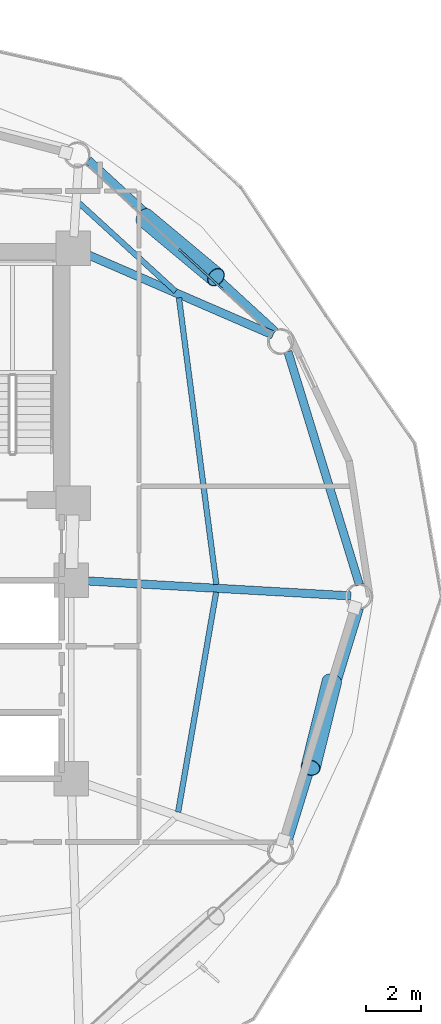
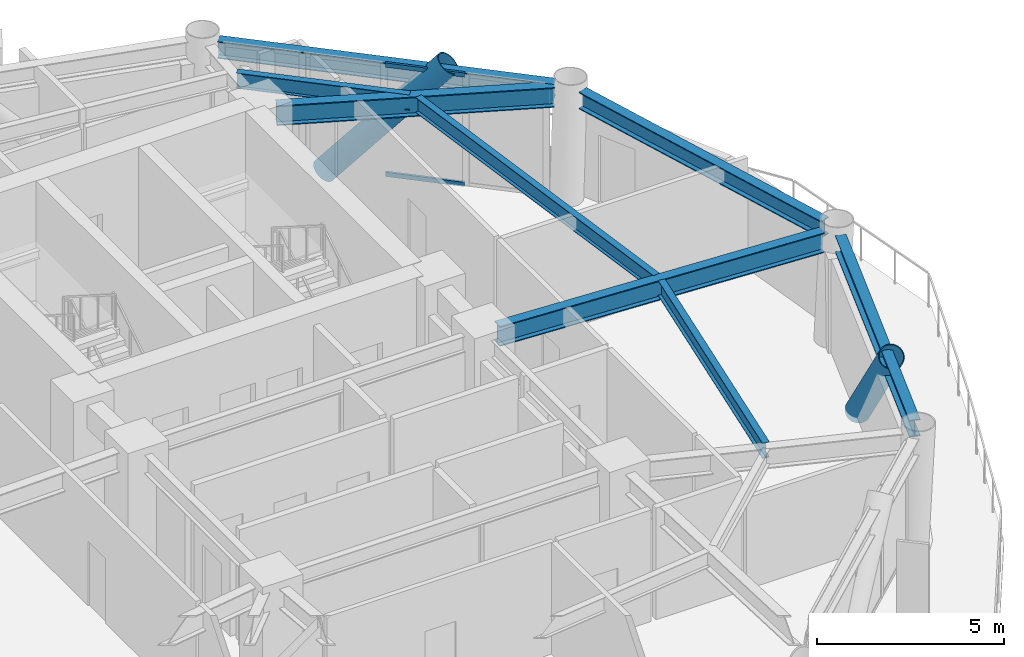
# One storey, part 14 of 23: 8 beams, 4 members, 1 element without a shape of its own.
"""IFC4 building model written with IfcOpenShell, lengths in metres."""

from ifc_helpers import new_model, si_unit, direction, frame, origin, origin_2d, place, context, subcontext, project, spatial, hollow_rectangle, hollow_circle, i_section, extrude, material, layer, layer_set, material_profile, profile_set, type_object, element, aggregate, save


model = new_model("IFC4")

# Units and contexts
model_context = context("Model", 3, precision=1e-05, world=origin(), true_north=direction((0.0, 1.0)))
body_context = subcontext(model_context, "Body", "Model", "MODEL_VIEW")
ifc_project = project(units=[si_unit("LENGTHUNIT", "METRE"), si_unit("AREAUNIT", "SQUARE_METRE"), si_unit("VOLUMEUNIT", "CUBIC_METRE"), si_unit("PLANEANGLEUNIT", "RADIAN"), si_unit("MASSUNIT", "GRAM", prefix="KILO")], contexts=[model_context])

# Site, building, storey
site_placement = place(None, origin())
site = spatial("IfcSite", under=ifc_project, at=site_placement, CompositionType="ELEMENT")
building_placement = place(site_placement, origin())
building = spatial("IfcBuilding", under=site, at=building_placement, Name="Varnakorn Sky Granary", CompositionType="ELEMENT")
storey_placement = place(building_placement, frame((0.0, 0.0, 31.5)))
storey = spatial("IfcBuildingStorey", under=building, at=storey_placement, Name="L07", CompositionType="ELEMENT", Elevation=31.5)

# Beams
ifc_material_1 = material(Name="Steel S355JR", Category="steel")
ifc_material_profile_1 = material_profile(ifc_material_1, i_section(OverallWidth=0.300048828125, OverallDepth=0.64990234375, WebThickness=0.01611328125, FlangeThickness=0.031005859375, at=origin_2d()), Name="HE 650 B")
ifc_profile_set_1 = profile_set([ifc_material_profile_1], Name="Steel S355JR")
beam_type_1 = type_object("IfcBeamType", Name="BM-RAD-Z1", PredefinedType="BEAM", material=ifc_profile_set_1)
beam_1_placement = place(storey_placement, frame((8.769287109375, 0.576171875, 3.31494140625), z_axis=(0.998393392722, -0.056662451133, 0.0), x_axis=(0.056662451133, 0.998393392722, 0.0)))
element("IfcBeam", 1, at=beam_1_placement, inside=storey, type_object=beam_type_1, Name="Radial Floor Girder RG01 L07", PredefinedType="BEAM", context=body_context, shape_type="SweptSolid", body=[
    extrude(i_section(OverallWidth=0.300048828125, OverallDepth=0.64990234375, WebThickness=0.01611328125, FlangeThickness=0.031005859375, at=origin_2d()), origin(), (0.0, 0.0, 1.0), 9.72900390625),
])
beam_2_placement = place(storey_placement, frame((8.805419921875, 12.452880859375, 3.31494140625), z_axis=(0.917481750957, -0.39777787352, 0.0), x_axis=(0.39777787352, 0.917481750957, 0.0)))
element("IfcBeam", 2, at=beam_2_placement, inside=storey, type_object=beam_type_1, Name="Radial Floor Girder RG02 L07", PredefinedType="BEAM", context=body_context, shape_type="SweptSolid", body=[
    extrude(i_section(OverallWidth=0.300048828125, OverallDepth=0.64990234375, WebThickness=0.01611328125, FlangeThickness=0.031005859375, at=origin_2d()), origin(), (0.0, 0.0, 1.0), 7.476806640625),
])
ifc_material_profile_2 = material_profile(ifc_material_1, i_section(OverallWidth=0.199951171875, OverallDepth=0.5, WebThickness=0.01025390625, FlangeThickness=0.01611328125, at=origin_2d()), Name="IPE 500")
ifc_profile_set_2 = profile_set([ifc_material_profile_2], Name="Steel S355JR")
beam_type_2 = type_object("IfcBeamType", Name="BM-SEC-Z1", PredefinedType="BEAM", material=ifc_profile_set_2)
beam_3_placement = place(storey_placement, frame((13.60791015625, 0.439453125, 3.389892578125), z_axis=(-0.129302318732, 0.991605219011, 0.0), x_axis=(-0.991605219011, -0.129302318732, 0.0)))
element("IfcBeam", 3, at=beam_3_placement, inside=storey, type_object=beam_type_2, Name="Secondary Floor Chord Beam MSB01 L07", PredefinedType="BEAM", context=body_context, shape_type="SweptSolid", body=[
    extrude(i_section(OverallWidth=0.199951171875, OverallDepth=0.5, WebThickness=0.01025390625, FlangeThickness=0.01611328125, at=origin_2d()), origin(), (0.0, 0.0, 1.0), 10.475341796875),
])
beam_4_placement = place(storey_placement, frame((12.132080078125, 11.060302734375, 3.389892578125), z_axis=(-0.737698994544, 0.675129760452, 0.0), x_axis=(-0.675129760452, -0.737698994544, 0.0)))
element("IfcBeam", 4, at=beam_4_placement, inside=storey, type_object=beam_type_2, Name="Secondary Floor Chord Beam MSB02 L07", PredefinedType="BEAM", context=body_context, shape_type="SweptSolid", body=[
    extrude(i_section(OverallWidth=0.199951171875, OverallDepth=0.5, WebThickness=0.01025390625, FlangeThickness=0.01611328125, at=origin_2d()), origin(), (0.0, 0.0, 1.0), 4.74072265625),
])
beam_5_placement = place(storey_placement, frame((12.223876953125, -7.809814453125, 3.389892578125), z_axis=(0.170370714903, 0.985380038109, 0.0), x_axis=(-0.985380038109, 0.170370714903, 0.0)))
element("IfcBeam", 5, at=beam_5_placement, inside=storey, type_object=beam_type_2, Name="Secondary Floor Chord Beam MSB12 L07", PredefinedType="BEAM", context=body_context, shape_type="SweptSolid", body=[
    extrude(i_section(OverallWidth=0.199951171875, OverallDepth=0.5, WebThickness=0.01025390625, FlangeThickness=0.01611328125, at=origin_2d()), origin(), (0.0, 0.0, 1.0), 8.090576171875),
])
ifc_material_profile_3 = material_profile(ifc_material_1, i_section(OverallWidth=0.300048828125, OverallDepth=0.550048828125, WebThickness=0.014892578125, FlangeThickness=0.029052734375, at=origin_2d()), Name="HE 550 B")
ifc_profile_set_3 = profile_set([ifc_material_profile_3], Name="Steel S355JR")
beam_type_3 = type_object("IfcBeamType", Name="BM-SPD-Z1", PredefinedType="SPANDREL", material=ifc_profile_set_3)
beam_6_placement = place(storey_placement, frame((18.79443359375, 0.422607421875, 3.364990234375), z_axis=(-0.293218881503, 0.956045337591, 0.0), x_axis=(-0.956045337591, -0.293218881503, 0.0)))
element("IfcBeam", 6, at=beam_6_placement, inside=storey, type_object=beam_type_3, Name="Perimeter Spandrel Ring Beam RB01 L07", PredefinedType="SPANDREL", context=body_context, shape_type="SweptSolid", body=[
    extrude(i_section(OverallWidth=0.300048828125, OverallDepth=0.550048828125, WebThickness=0.014892578125, FlangeThickness=0.029052734375, at=origin_2d()), origin(), (0.0, 0.0, 1.0), 8.8466796875),
])
beam_7_placement = place(storey_placement, frame((15.7451171875, 9.601806640625, 3.364990234375), z_axis=(-0.737015215485, 0.675876151483, 0.0), x_axis=(-0.675876151483, -0.737015215485, 0.0)))
element("IfcBeam", 7, at=beam_7_placement, inside=storey, type_object=beam_type_3, Name="Perimeter Spandrel Ring Beam RB02 L07", PredefinedType="SPANDREL", context=body_context, shape_type="SweptSolid", body=[
    extrude(i_section(OverallWidth=0.300048828125, OverallDepth=0.550048828125, WebThickness=0.014892578125, FlangeThickness=0.029052734375, at=origin_2d()), origin(), (0.0, 0.0, 1.0), 9.1923828125),
])
beam_8_placement = place(storey_placement, frame((16.200439453125, -8.88037109375, 3.364990234375), z_axis=(0.293218881503, 0.956045337591, 0.0), x_axis=(-0.956045337591, 0.293218881503, 0.0)))
element("IfcBeam", 8, at=beam_8_placement, inside=storey, type_object=beam_type_3, Name="Perimeter Spandrel Ring Beam RB12 L07", PredefinedType="SPANDREL", context=body_context, shape_type="SweptSolid", body=[
    extrude(i_section(OverallWidth=0.300048828125, OverallDepth=0.550048828125, WebThickness=0.014892578125, FlangeThickness=0.029052734375, at=origin_2d()), origin(), (0.0, 0.0, 1.0), 8.8466796875),
])

# Curtain wall, members
ifc_material_2 = material(Name="Anodised Bronze Aluminium Alloy 6063-T6", Category="aluminium")
ifc_layer = layer(ifc_material_2, 0.18994140625, Name="Anodised Bronze Aluminium Alloy 6063-T6")
ifc_layer_set = layer_set([ifc_layer], Name="Anodised Bronze Aluminium Alloy 6063-T6")
curtain_wall_type = type_object("IfcCurtainWallType", Name="CW-FRM-1", PredefinedType="USERDEFINED", material=ifc_layer_set)
curtain_wall_placement = place(storey_placement, origin())
curtain_wall = element("IfcCurtainWall", 9, at=curtain_wall_placement, inside=storey, type_object=curtain_wall_type, Name="Unitised Curtain Wall CW3 CW-L07-B02", ObjectType="CURTAIN WALL", PredefinedType="USERDEFINED")
ifc_material_profile_4 = material_profile(ifc_material_2, hollow_rectangle(XDim=0.070068359375, YDim=0.139892578125, WallThickness=0.00341796875, at=origin_2d()), Name="ALU TRAN 70x140")
ifc_profile_set_4 = profile_set([ifc_material_profile_4], Name="Anodised Bronze Aluminium Alloy 6063-T6")
member_type_1 = type_object("IfcMemberType", Name="CW-FRM-1-TRAN", PredefinedType="USERDEFINED", material=ifc_profile_set_4)
member_1_placement = place(storey_placement, frame((12.25634765625, 12.58544921875, 0.034912109375), z_axis=(0.736574518081, -0.676356399625, 0.0), x_axis=(0.676356399625, 0.736574518081, 0.0)))
member_1 = element("IfcMember", 10, at=member_1_placement, type_object=member_type_1, Name="CW3 transom 3.1", ObjectType="TRANSOM", PredefinedType="USERDEFINED", context=body_context, shape_type="SweptSolid", body=[
    extrude(hollow_rectangle(XDim=0.070068359375, YDim=0.139892578125, WallThickness=0.00341796875, at=origin_2d()), origin(), (0.0, 0.0, 1.0), 2.1689453125),
])
member_2_placement = place(storey_placement, frame((12.25634765625, 12.58544921875, 3.60498046875), z_axis=(0.736574518081, -0.676356399625, 0.0), x_axis=(0.676356399625, 0.736574518081, 0.0)))
member_2 = element("IfcMember", 11, at=member_2_placement, type_object=member_type_1, Name="CW3 transom 3.2", ObjectType="TRANSOM", PredefinedType="USERDEFINED", context=body_context, shape_type="SweptSolid", body=[
    extrude(hollow_rectangle(XDim=0.070068359375, YDim=0.139892578125, WallThickness=0.00341796875, at=origin_2d()), origin(), (0.0, 0.0, 1.0), 2.1689453125),
])
aggregate(curtain_wall, [member_1, member_2])

# Members
ifc_material_3 = material(Name="Steel S460M", Category="steel")
ifc_material_profile_5 = material_profile(ifc_material_3, hollow_circle(Radius=0.35546875, WallThickness=0.02490234375, at=origin_2d()), Name="CHS 711x25")
ifc_profile_set_5 = profile_set([ifc_material_profile_5], Name="Steel S460M")
member_type_2 = type_object("IfcMemberType", Name="MB-DIAG-T0", PredefinedType="BRACE", material=ifc_profile_set_5)
member_3_placement = place(storey_placement, frame((11.004150390625, 13.7353515625, -0.1298828125), z_axis=(0.500962210966, -0.418034888122, 0.757815080014), x_axis=(0.640696551773, 0.767794196739, 0.0)))
element("IfcMember", 12, at=member_3_placement, inside=storey, type_object=member_type_2, Name="Perimeter CHS Diagrid Brace DG02 L07", PredefinedType="BRACE", context=body_context, shape_type="SweptSolid", body=[
    extrude(hollow_circle(Radius=0.35546875, WallThickness=0.02490234375, at=origin_2d()), origin(), (0.0, 0.0, 1.0), 5.172607421875),
])
member_4_placement = place(storey_placement, frame((17.795166015625, -3.076904296875, -0.1298828125), z_axis=(-0.152431468073, -0.616079188926, 0.772794332609), x_axis=(0.970728501747, -0.240179466018, 0.0)))
element("IfcMember", 13, at=member_4_placement, inside=storey, type_object=member_type_2, Name="Perimeter CHS Diagrid Brace DG12 L07", PredefinedType="BRACE", context=body_context, shape_type="SweptSolid", body=[
    extrude(hollow_circle(Radius=0.35546875, WallThickness=0.02490234375, at=origin_2d()), origin(), (0.0, 0.0, 1.0), 5.072509765625),
])

save(model, "model.ifc")
